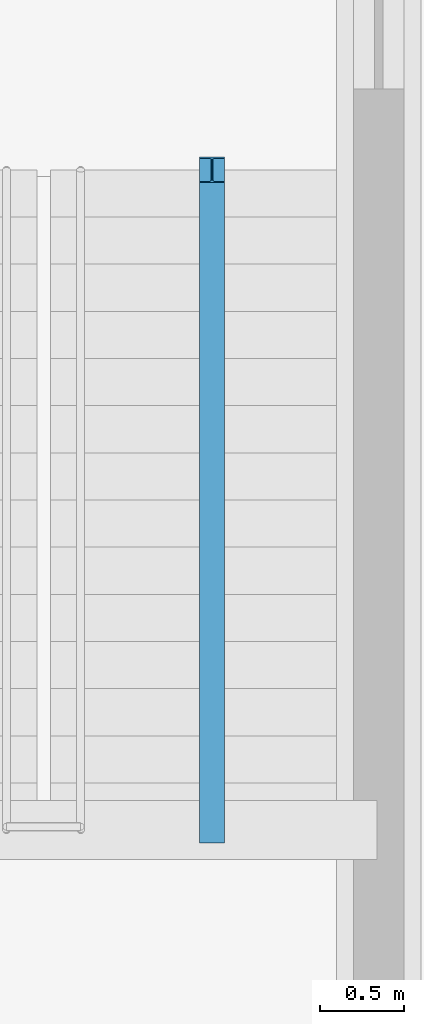
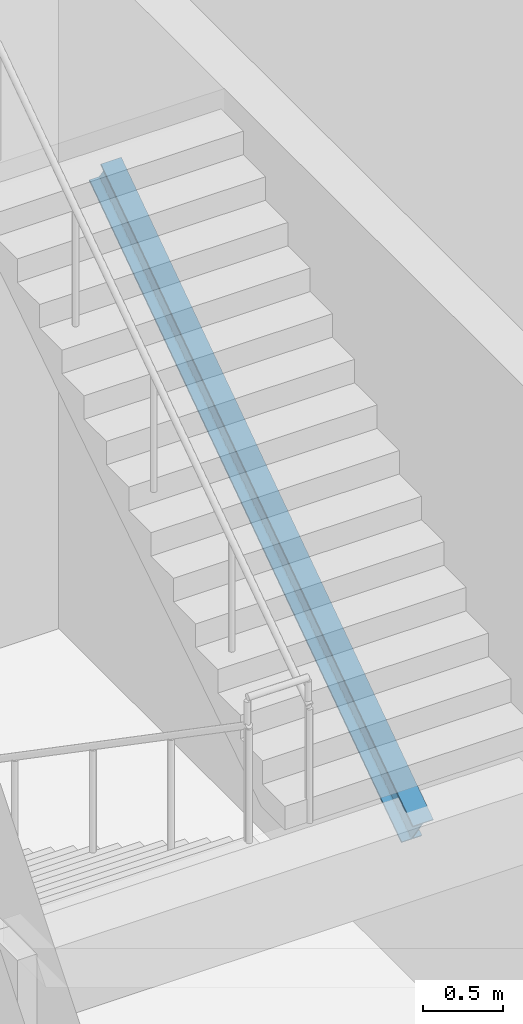
# One storey, part 49 of 109: 1 beam.
"""IFC4 building model written with IfcOpenShell, lengths in metres."""

from ifc_helpers import new_model, si_unit, direction, frame, origin, origin_2d, place, context, subcontext, project, spatial, i_section, extrude, material, material_profile, profile_set, type_object, element, save


model = new_model("IFC4")

# Units and contexts
model_context = context("Model", 3, precision=1e-05, world=origin(), true_north=direction((0.0, 1.0)))
body_context = subcontext(model_context, "Body", "Model", "MODEL_VIEW")
ifc_project = project(units=[si_unit("LENGTHUNIT", "METRE"), si_unit("AREAUNIT", "SQUARE_METRE"), si_unit("VOLUMEUNIT", "CUBIC_METRE"), si_unit("PLANEANGLEUNIT", "RADIAN"), si_unit("MASSUNIT", "GRAM", prefix="KILO")], contexts=[model_context])

# Site, building, storey
site_placement = place(None, origin())
site = spatial("IfcSite", under=ifc_project, at=site_placement, CompositionType="ELEMENT")
building_placement = place(site_placement, origin())
building = spatial("IfcBuilding", under=site, at=building_placement, Name="Lusvemor Sports Hall", CompositionType="ELEMENT")
storey_placement = place(building_placement, origin())
storey = spatial("IfcBuildingStorey", under=building, at=storey_placement, Name="L00", CompositionType="ELEMENT", Elevation=0.0)

# Beam
ifc_material = material(Name="Steel S355", Category="steel")
ifc_material_profile = material_profile(ifc_material, i_section(OverallWidth=0.14794921875, OverallDepth=0.26611328125, WebThickness=0.007568359375, FlangeThickness=0.012939453125, FilletRadius=0.012939453125, at=origin_2d()), Name="W250x44.8")
ifc_profile_set = profile_set([ifc_material_profile], Name="Steel S355")
beam_type = type_object("IfcBeamType", Name="JOIST_ST_250M", PredefinedType="JOIST", material=ifc_profile_set)
beam_placement = place(storey_placement, frame((57.159912109375, 108.929931640625, 2.35498046875), z_axis=(0.0, 0.823567234665, 0.567218661528), x_axis=(-1.0, 0.0, 0.0)))
element("IfcBeam", 1, at=beam_placement, inside=storey, type_object=beam_type, Name="Stair STR-C2-L00 Flight 2 Stringer Beam", PredefinedType="JOIST", context=body_context, shape_type="SweptSolid", body=[
    extrude(i_section(OverallWidth=0.14794921875, OverallDepth=0.26611328125, WebThickness=0.007568359375, FlangeThickness=0.012939453125, FilletRadius=0.012939453125, at=origin_2d()), origin(), (0.0, 0.0, 1.0), 4.760009765625),
])

save(model, "model.ifc")
